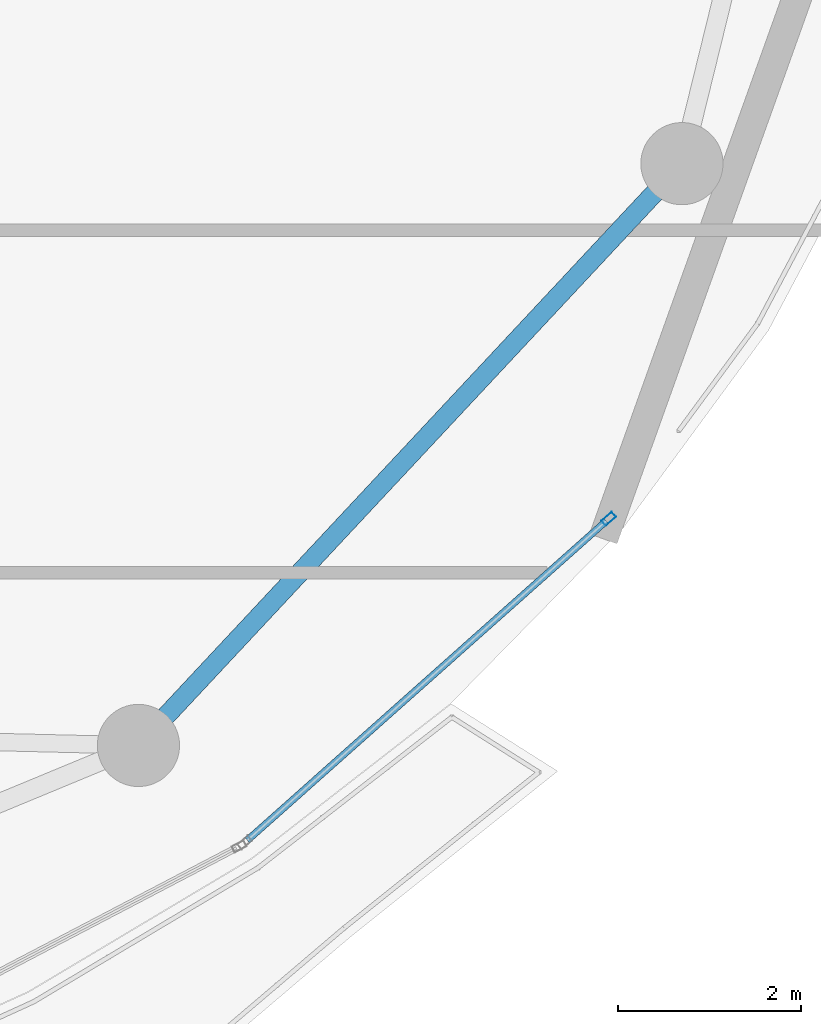
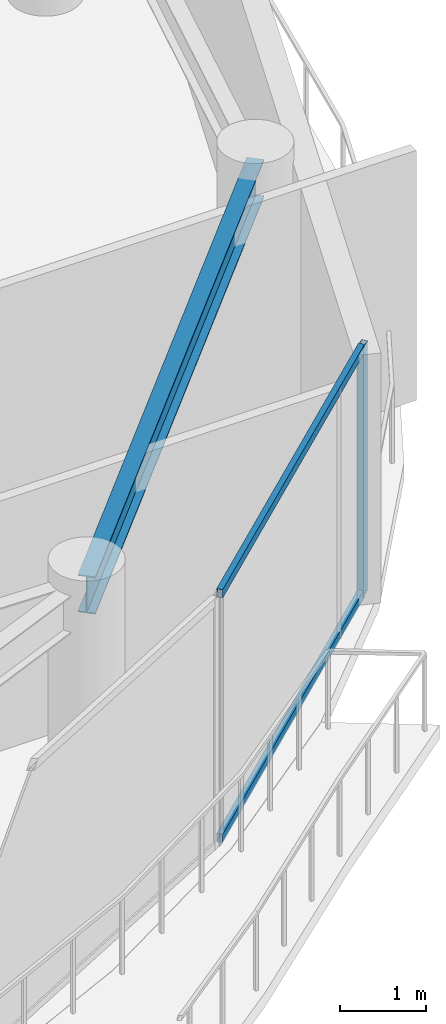
# One storey, part 14 of 29: 3 members, 1 beam, 1 element without a shape of its own.
"""IFC4 building model written with IfcOpenShell, lengths in metres."""

from ifc_helpers import new_model, si_unit, direction, frame, origin, origin_2d, place, context, subcontext, project, spatial, hollow_rectangle, i_section, extrude, material, layer, layer_set, material_profile, profile_set, type_object, element, aggregate, save


model = new_model("IFC4")

# Units and contexts
model_context = context("Model", 3, precision=1e-05, world=origin(), true_north=direction((0.0, 1.0)))
body_context = subcontext(model_context, "Body", "Model", "MODEL_VIEW")
ifc_project = project(units=[si_unit("LENGTHUNIT", "METRE"), si_unit("AREAUNIT", "SQUARE_METRE"), si_unit("VOLUMEUNIT", "CUBIC_METRE"), si_unit("PLANEANGLEUNIT", "RADIAN"), si_unit("MASSUNIT", "GRAM", prefix="KILO")], contexts=[model_context])

# Site, building, storey
site_placement = place(None, origin())
site = spatial("IfcSite", under=ifc_project, at=site_placement, CompositionType="ELEMENT")
building_placement = place(site_placement, origin())
building = spatial("IfcBuilding", under=site, at=building_placement, Name="Kazevale Care Tower and Concert Hall", CompositionType="ELEMENT")
storey_placement = place(building_placement, frame((0.0, 0.0, 262.39990234375)))
storey = spatial("IfcBuildingStorey", under=building, at=storey_placement, Name="L69", CompositionType="ELEMENT", Elevation=262.39990234375)

# Curtain wall, members
ifc_material_1 = material(Name="Aluminium 6063-T6 and Low-E Glass", Category="aluminium")
ifc_layer = layer(ifc_material_1, 0.179931640625)
ifc_layer_set = layer_set([ifc_layer], Name="Aluminium 6063-T6 and Low-E Glass")
curtain_wall_type = type_object("IfcCurtainWallType", Name="Sheltered Concave Balcony Curtain Wall CW-5", PredefinedType="NOTDEFINED", material=ifc_layer_set)
curtain_wall_placement = place(storey_placement, origin())
curtain_wall = element("IfcCurtainWall", 1, at=curtain_wall_placement, inside=storey, type_object=curtain_wall_type, Name="cw:L69:f02", PredefinedType="NOTDEFINED")
ifc_material_2 = material(Name="Aluminium 6063-T6", Category="aluminium")
ifc_material_profile_1 = material_profile(ifc_material_2, hollow_rectangle(XDim=0.074951171875, YDim=0.14990234375, WallThickness=0.00390625, at=origin_2d()), Name="ALU75x150x4")
ifc_profile_set_1 = profile_set([ifc_material_profile_1], Name="Aluminium 6063-T6")
member_type_1 = type_object("IfcMemberType", Name="CW-5 Mullion ALU75x150x4", PredefinedType="MULLION", material=ifc_profile_set_1)
member_1_placement = place(storey_placement, frame((69.55908203125, 25.592041015625, 0.0), z_axis=(0.0, 0.0, 1.0), x_axis=(0.664673629123, -0.747133834563, 0.0)))
member_1 = element("IfcMember", 2, at=member_1_placement, type_object=member_type_1, Name="CW-5 mullion 1", PredefinedType="MULLION", context=body_context, shape_type="SweptSolid", body=[
    extrude(hollow_rectangle(XDim=0.074951171875, YDim=0.14990234375, WallThickness=0.00390625, at=origin_2d()), origin(), (0.0, 0.0, 1.0), 3.56005859375),
])
ifc_material_profile_2 = material_profile(ifc_material_2, hollow_rectangle(XDim=0.074951171875, YDim=0.1201171875, WallThickness=0.00390625, at=origin_2d()), Name="ALU75x120x4")
ifc_profile_set_2 = profile_set([ifc_material_profile_2], Name="Aluminium 6063-T6")
member_type_2 = type_object("IfcMemberType", Name="CW-5 Transom ALU75x120x4", PredefinedType="USERDEFINED", material=ifc_profile_set_2)
member_2_placement = place(storey_placement, frame((69.531005859375, 25.567138671875, 0.03759765625), z_axis=(-0.747130057657, -0.664677874572, 0.0), x_axis=(0.664677874572, -0.747130057657, 0.0)))
member_2 = element("IfcMember", 3, at=member_2_placement, type_object=member_type_2, Name="CW-5 transom 1.1", ObjectType="TRANSOM", PredefinedType="USERDEFINED", context=body_context, shape_type="SweptSolid", body=[
    extrude(hollow_rectangle(XDim=0.074951171875, YDim=0.1201171875, WallThickness=0.00390625, at=origin_2d()), origin(), (0.0, 0.0, 1.0), 5.2587890625),
])
member_3_placement = place(storey_placement, frame((69.531005859375, 25.567138671875, 3.522705078125), z_axis=(-0.747130057657, -0.664677874572, 0.0), x_axis=(0.664677874572, -0.747130057657, 0.0)))
member_3 = element("IfcMember", 4, at=member_3_placement, type_object=member_type_2, Name="CW-5 transom 1.2", ObjectType="TRANSOM", PredefinedType="USERDEFINED", context=body_context, shape_type="SweptSolid", body=[
    extrude(hollow_rectangle(XDim=0.074951171875, YDim=0.1201171875, WallThickness=0.00390625, at=origin_2d()), origin(), (0.0, 0.0, 1.0), 5.2587890625),
])
aggregate(curtain_wall, [member_1, member_2, member_3])

# Beam
ifc_material_3 = material(Name="Steel ASTM A572 Gr 50", Category="steel")
ifc_material_profile_3 = material_profile(ifc_material_3, i_section(OverallWidth=0.208984375, OverallDepth=0.532958984375, WebThickness=0.01025390625, FlangeThickness=0.015625, at=origin_2d()), Name="W530x92")
ifc_profile_set_3 = profile_set([ifc_material_profile_3], Name="Steel ASTM A572 Gr 50")
beam_type = type_object("IfcBeamType", Name="Upper Ring Beam W530x92", PredefinedType="BEAM", material=ifc_profile_set_3)
beam_placement = place(storey_placement, frame((64.409912109375, 23.110107421875, 3.293701171875), z_axis=(0.682623556843, 0.730770196192, 0.0), x_axis=(-0.730770196192, 0.682623556843, 0.0)))
element("IfcBeam", 5, at=beam_placement, inside=storey, type_object=beam_type, Name="beam:L69:ring:15", PredefinedType="BEAM", context=body_context, shape_type="SweptSolid", body=[
    extrude(i_section(OverallWidth=0.208984375, OverallDepth=0.532958984375, WebThickness=0.01025390625, FlangeThickness=0.015625, at=origin_2d()), origin(), (0.0, 0.0, 1.0), 8.716552734375),
])

save(model, "model.ifc")
